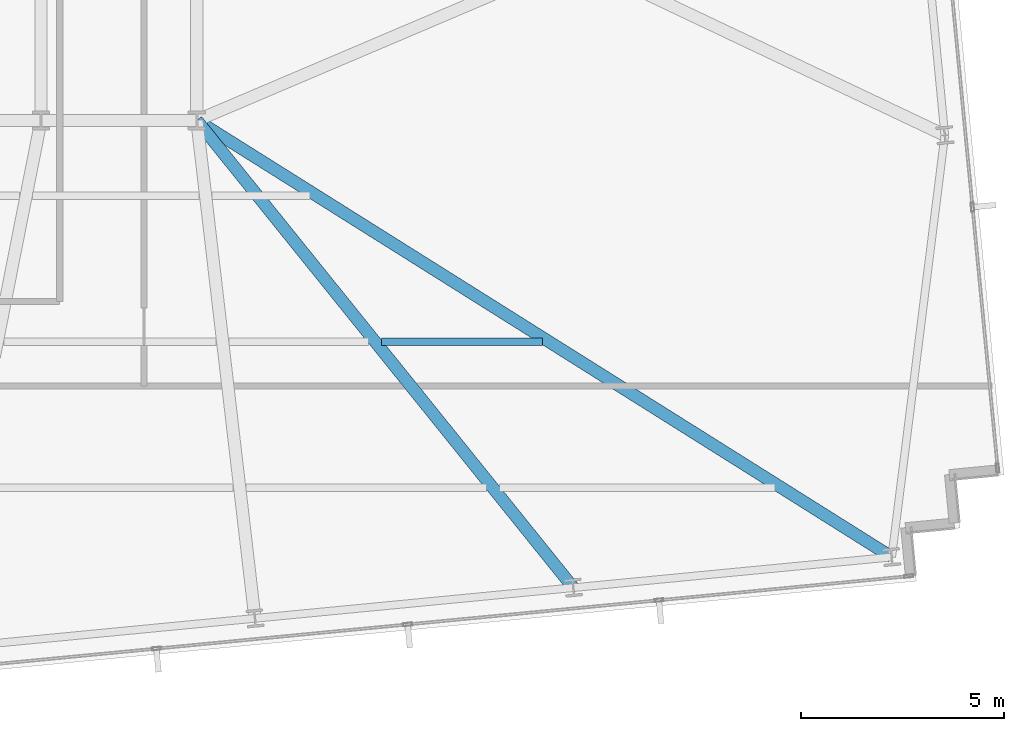
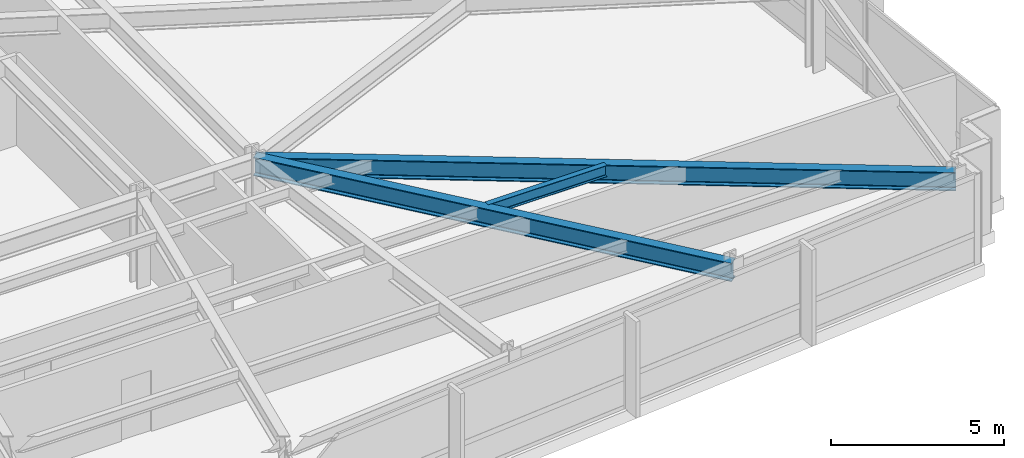
# One storey, part 14 of 33: 3 beams.
"""IFC4 building model written with IfcOpenShell, lengths in metres."""

from ifc_helpers import new_model, si_unit, direction, frame, origin, origin_2d, place, context, subcontext, project, spatial, i_section, extrude, material, material_profile, profile_set, type_object, element, save


model = new_model("IFC4")

# Units and contexts
model_context = context("Model", 3, precision=1e-05, world=origin(), true_north=direction((0.0, 1.0)))
body_context = subcontext(model_context, "Body", "Model", "MODEL_VIEW")
ifc_project = project(units=[si_unit("LENGTHUNIT", "METRE"), si_unit("AREAUNIT", "SQUARE_METRE"), si_unit("VOLUMEUNIT", "CUBIC_METRE"), si_unit("PLANEANGLEUNIT", "RADIAN"), si_unit("MASSUNIT", "GRAM", prefix="KILO")], contexts=[model_context])

# Site, building, storey
site_placement = place(None, origin())
site = spatial("IfcSite", under=ifc_project, at=site_placement, CompositionType="ELEMENT")
building_placement = place(site_placement, origin())
building = spatial("IfcBuilding", under=site, at=building_placement, Name="Yelkora Congress Tower", CompositionType="ELEMENT")
storey_placement = place(building_placement, frame((0.0, 0.0, 89.699951171875)))
storey = spatial("IfcBuildingStorey", under=building, at=storey_placement, Name="L23", CompositionType="ELEMENT", Elevation=89.699951171875)

# Beams
ifc_material = material(Name="Steel S355J2", Category="steel")
ifc_material_profile_1 = material_profile(ifc_material, i_section(OverallWidth=0.300048828125, OverallDepth=0.64990234375, WebThickness=0.01611328125, FlangeThickness=0.031005859375, FilletRadius=0.027099609375, at=origin_2d()), Name="HEB 650")
ifc_profile_set_1 = profile_set([ifc_material_profile_1], Name="Steel S355J2")
beam_type_1 = type_object("IfcBeamType", Name="BM-GIRD-HEB650", PredefinedType="BEAM", material=ifc_profile_set_1)
beam_1_placement = place(storey_placement, frame((66.882568359375, 13.67919921875, 2.85498046875), z_axis=(-0.627405981031, 0.778692323686, 0.0), x_axis=(-0.778692323686, -0.627405981031, 0.0)))
element("IfcBeam", 1, at=beam_1_placement, inside=storey, type_object=beam_type_1, Name="L23 Primary Frame Girder S07", PredefinedType="BEAM", context=body_context, shape_type="SweptSolid", body=[
    extrude(i_section(OverallWidth=0.300048828125, OverallDepth=0.64990234375, WebThickness=0.01611328125, FlangeThickness=0.031005859375, FilletRadius=0.027099609375, at=origin_2d()), origin(), (0.0, 0.0, 1.0), 14.794921875),
])
beam_2_placement = place(storey_placement, frame((74.73193359375, 14.43505859375, 2.85498046875), z_axis=(-0.846718708798, 0.532040814385, 0.0), x_axis=(-0.532040814385, -0.846718708798, 0.0)))
element("IfcBeam", 2, at=beam_2_placement, inside=storey, type_object=beam_type_1, Name="L23 Primary Frame Girder S08", PredefinedType="BEAM", context=body_context, shape_type="SweptSolid", body=[
    extrude(i_section(OverallWidth=0.300048828125, OverallDepth=0.64990234375, WebThickness=0.01611328125, FlangeThickness=0.031005859375, FilletRadius=0.027099609375, at=origin_2d()), origin(), (0.0, 0.0, 1.0), 20.233154296875),
])
ifc_material_profile_2 = material_profile(ifc_material, i_section(OverallWidth=0.179931640625, OverallDepth=0.39990234375, WebThickness=0.008544921875, FlangeThickness=0.013427734375, FilletRadius=0.02099609375, at=origin_2d()), Name="IPE 400")
ifc_profile_set_2 = profile_set([ifc_material_profile_2], Name="Steel S355J2")
beam_type_2 = type_object("IfcBeamType", Name="BM-JOIST-IPE400", PredefinedType="JOIST", material=ifc_profile_set_2)
beam_3_placement = place(storey_placement, frame((62.15576171875, 19.744384765625, 2.97998046875), z_axis=(1.0, 0.0, 0.0), x_axis=(0.0, 1.0, 0.0)))
element("IfcBeam", 3, at=beam_3_placement, inside=storey, type_object=beam_type_2, Name="L23 Composite Floor Joist 17", PredefinedType="JOIST", context=body_context, shape_type="SweptSolid", body=[
    extrude(i_section(OverallWidth=0.179931640625, OverallDepth=0.39990234375, WebThickness=0.008544921875, FlangeThickness=0.013427734375, FilletRadius=0.02099609375, at=origin_2d()), origin(), (0.0, 0.0, 1.0), 3.966552734375),
])

save(model, "model.ifc")
